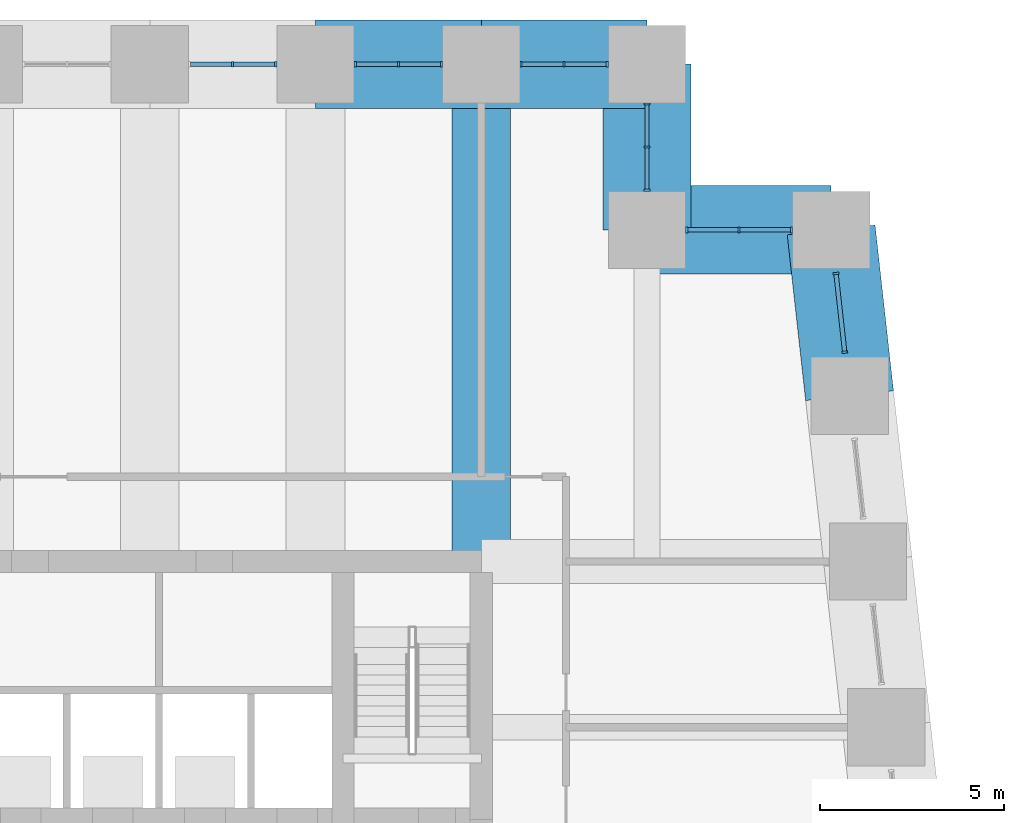
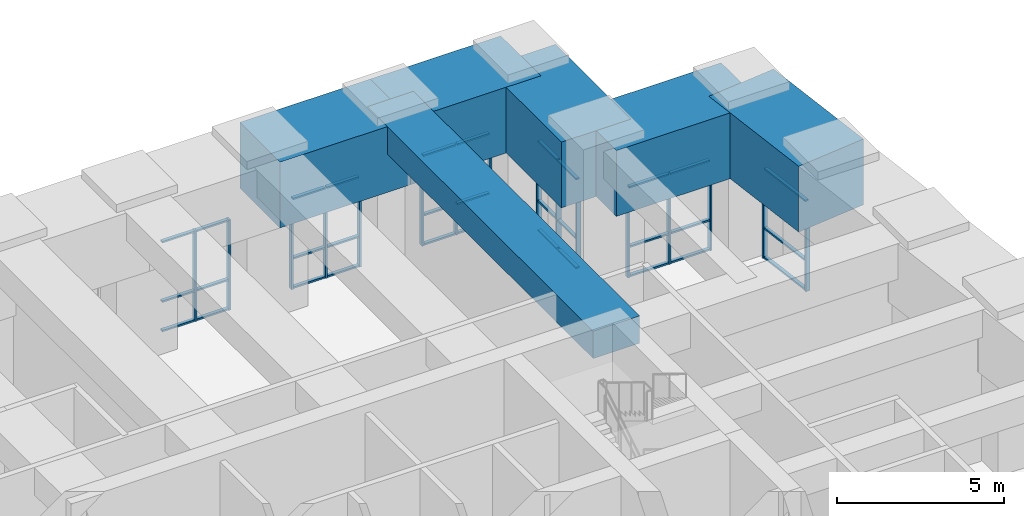
# One storey, part 8 of 17: 49 members, 6 beams, 6 elements without a shape of their own.
"""IFC4 building model written with IfcOpenShell, lengths in metres."""

from ifc_helpers import new_model, si_unit, direction, frame, origin, origin_2d, place, context, subcontext, project, spatial, rectangle, extrude, material, material_profile, profile_set, type_object, element, aggregate, save


model = new_model("IFC4")

# Units and contexts
model_context = context("Model", 3, precision=1e-05, world=origin(), true_north=direction((0.0, 1.0)))
body_context = subcontext(model_context, "Body", "Model", "MODEL_VIEW")
ifc_project = project(units=[si_unit("LENGTHUNIT", "METRE"), si_unit("AREAUNIT", "SQUARE_METRE"), si_unit("VOLUMEUNIT", "CUBIC_METRE"), si_unit("PLANEANGLEUNIT", "RADIAN"), si_unit("MASSUNIT", "GRAM", prefix="KILO")], contexts=[model_context])

# Site, building, storey
site_placement = place(None, origin())
site = spatial("IfcSite", under=ifc_project, at=site_placement, CompositionType="ELEMENT")
building_placement = place(site_placement, origin())
building = spatial("IfcBuilding", under=site, at=building_placement, Name="Kilele Tower Hotel", CompositionType="ELEMENT")
storey_placement = place(building_placement, frame((0.0, 0.0, 145.89990234375)))
storey = spatial("IfcBuildingStorey", under=building, at=storey_placement, Name="L38", CompositionType="ELEMENT", Elevation=145.89990234375)

# Beam
ifc_material_1 = material(Name="Concrete C60/75", Category="concrete")
ifc_material_profile_1 = material_profile(ifc_material_1, rectangle(XDim=1.60009765625, YDim=1.0, at=origin_2d()))
ifc_profile_set_1 = profile_set([ifc_material_profile_1], Name="Concrete C60/75")
beam_type_1 = type_object("IfcBeamType", Name="Beam RC 1600x1000 C60/75", PredefinedType="BEAM", material=ifc_profile_set_1)
beam_1_placement = place(storey_placement, frame((36.0, 40.5, 5.2001953125), z_axis=(0.0, -1.0, 0.0), x_axis=(1.0, 0.0, 0.0)))
element("IfcBeam", 1, at=beam_1_placement, inside=storey, type_object=beam_type_1, Name="Beam BC1 level L39", PredefinedType="BEAM", context=body_context, shape_type="SweptSolid", body=[
    extrude(rectangle(XDim=1.60009765625, YDim=1.0, at=origin_2d()), origin(), (0.0, 0.0, 1.0), 13.5),
])

# Curtain wall, members
ifc_material_2 = material(Name="Aluminium curtain wall, clear double glazing", Category="aluminium")
curtain_wall_type = type_object("IfcCurtainWallType", Name="Sky lobby curtain wall CW-3", PredefinedType="NOTDEFINED", material=ifc_material_2)
curtain_wall_1_placement = place(storey_placement, origin())
curtain_wall_1 = element("IfcCurtainWall", 2, at=curtain_wall_1_placement, inside=storey, type_object=curtain_wall_type, Name="Sky lobby curtain wall CW-3 L38", PredefinedType="NOTDEFINED")
ifc_material_3 = material(Name="Aluminium EN AW-6063 T6", Category="aluminium")
ifc_material_profile_2 = material_profile(ifc_material_3, rectangle(XDim=0.159912109375, YDim=0.06005859375, at=origin_2d()))
ifc_profile_set_2 = profile_set([ifc_material_profile_2], Name="Aluminium EN AW-6063 T6")
member_type_1 = type_object("IfcMemberType", Name="Mullion 60x160 CW-3", PredefinedType="MULLION", material=ifc_profile_set_2)
member_1_placement = place(storey_placement, frame((45.86865234375, 32.682373046875, 0.0), z_axis=(0.0, 0.0, 1.0), x_axis=(-0.993883734629, -0.110431526475, 0.0)))
member_1 = element("IfcMember", 3, at=member_1_placement, type_object=member_type_1, Name="CW-3 mullion 1", PredefinedType="MULLION", context=body_context, shape_type="SweptSolid", body=[
    extrude(rectangle(XDim=0.159912109375, YDim=0.06005859375, at=origin_2d()), origin(), (0.0, 0.0, 1.0), 3.300048828125),
])
member_2_placement = place(storey_placement, frame((45.63134765625, 34.817626953125, 0.0), z_axis=(0.0, 0.0, 1.0), x_axis=(-0.993883734629, -0.110431526475, 0.0)))
member_2 = element("IfcMember", 4, at=member_2_placement, type_object=member_type_1, Name="CW-3 mullion 2", PredefinedType="MULLION", context=body_context, shape_type="SweptSolid", body=[
    extrude(rectangle(XDim=0.159912109375, YDim=0.06005859375, at=origin_2d()), origin(), (0.0, 0.0, 1.0), 3.300048828125),
])

curtain_wall_2_placement = place(storey_placement, origin())
curtain_wall_2 = element("IfcCurtainWall", 5, at=curtain_wall_2_placement, inside=storey, type_object=curtain_wall_type, Name="Sky lobby curtain wall CW-3 L38", PredefinedType="NOTDEFINED")
member_3_placement = place(storey_placement, frame((44.419921875, 36.0, 0.0), z_axis=(0.0, 0.0, 1.0), x_axis=(0.0, -1.0, 0.0)))
member_3 = element("IfcMember", 6, at=member_3_placement, type_object=member_type_1, Name="CW-3 mullion 1", PredefinedType="MULLION", context=body_context, shape_type="SweptSolid", body=[
    extrude(rectangle(XDim=0.159912109375, YDim=0.06005859375, at=origin_2d()), origin(), (0.0, 0.0, 1.0), 3.300048828125),
])
member_4_placement = place(storey_placement, frame((43.0, 36.0, 0.0), z_axis=(0.0, 0.0, 1.0), x_axis=(0.0, -1.0, 0.0)))
member_4 = element("IfcMember", 7, at=member_4_placement, type_object=member_type_1, Name="CW-3 mullion 2", PredefinedType="MULLION", context=body_context, shape_type="SweptSolid", body=[
    extrude(rectangle(XDim=0.159912109375, YDim=0.06005859375, at=origin_2d()), origin(), (0.0, 0.0, 1.0), 3.300048828125),
])
member_5_placement = place(storey_placement, frame((41.580078125, 36.0, 0.0), z_axis=(0.0, 0.0, 1.0), x_axis=(0.0, -1.0, 0.0)))
member_5 = element("IfcMember", 8, at=member_5_placement, type_object=member_type_1, Name="CW-3 mullion 3", PredefinedType="MULLION", context=body_context, shape_type="SweptSolid", body=[
    extrude(rectangle(XDim=0.159912109375, YDim=0.06005859375, at=origin_2d()), origin(), (0.0, 0.0, 1.0), 3.300048828125),
])

curtain_wall_3_placement = place(storey_placement, origin())
curtain_wall_3 = element("IfcCurtainWall", 9, at=curtain_wall_3_placement, inside=storey, type_object=curtain_wall_type, Name="Sky lobby curtain wall CW-3 L38", PredefinedType="NOTDEFINED")
member_6_placement = place(storey_placement, frame((40.5, 37.080078125, 0.0), z_axis=(0.0, 0.0, 1.0), x_axis=(-1.0, 0.0, 0.0)))
member_6 = element("IfcMember", 10, at=member_6_placement, type_object=member_type_1, Name="CW-3 mullion 1", PredefinedType="MULLION", context=body_context, shape_type="SweptSolid", body=[
    extrude(rectangle(XDim=0.159912109375, YDim=0.06005859375, at=origin_2d()), origin(), (0.0, 0.0, 1.0), 3.300048828125),
])
member_7_placement = place(storey_placement, frame((40.5, 38.25, 0.0), z_axis=(0.0, 0.0, 1.0), x_axis=(-1.0, 0.0, 0.0)))
member_7 = element("IfcMember", 11, at=member_7_placement, type_object=member_type_1, Name="CW-3 mullion 2", PredefinedType="MULLION", context=body_context, shape_type="SweptSolid", body=[
    extrude(rectangle(XDim=0.159912109375, YDim=0.06005859375, at=origin_2d()), origin(), (0.0, 0.0, 1.0), 3.300048828125),
])
member_8_placement = place(storey_placement, frame((40.5, 39.419921875, 0.0), z_axis=(0.0, 0.0, 1.0), x_axis=(-1.0, 0.0, 0.0)))
member_8 = element("IfcMember", 12, at=member_8_placement, type_object=member_type_1, Name="CW-3 mullion 3", PredefinedType="MULLION", context=body_context, shape_type="SweptSolid", body=[
    extrude(rectangle(XDim=0.159912109375, YDim=0.06005859375, at=origin_2d()), origin(), (0.0, 0.0, 1.0), 3.300048828125),
])

curtain_wall_4_placement = place(storey_placement, origin())
curtain_wall_4 = element("IfcCurtainWall", 13, at=curtain_wall_4_placement, inside=storey, type_object=curtain_wall_type, Name="Sky lobby curtain wall CW-3 L38", PredefinedType="NOTDEFINED")
member_9_placement = place(storey_placement, frame((39.419921875, 40.5, 0.0), z_axis=(0.0, 0.0, 1.0), x_axis=(0.0, -1.0, 0.0)))
member_9 = element("IfcMember", 14, at=member_9_placement, type_object=member_type_1, Name="CW-3 mullion 1", PredefinedType="MULLION", context=body_context, shape_type="SweptSolid", body=[
    extrude(rectangle(XDim=0.159912109375, YDim=0.06005859375, at=origin_2d()), origin(), (0.0, 0.0, 1.0), 3.300048828125),
])
member_10_placement = place(storey_placement, frame((38.25, 40.5, 0.0), z_axis=(0.0, 0.0, 1.0), x_axis=(0.0, -1.0, 0.0)))
member_10 = element("IfcMember", 15, at=member_10_placement, type_object=member_type_1, Name="CW-3 mullion 2", PredefinedType="MULLION", context=body_context, shape_type="SweptSolid", body=[
    extrude(rectangle(XDim=0.159912109375, YDim=0.06005859375, at=origin_2d()), origin(), (0.0, 0.0, 1.0), 3.300048828125),
])
member_11_placement = place(storey_placement, frame((37.080078125, 40.5, 0.0), z_axis=(0.0, 0.0, 1.0), x_axis=(0.0, -1.0, 0.0)))
member_11 = element("IfcMember", 16, at=member_11_placement, type_object=member_type_1, Name="CW-3 mullion 3", PredefinedType="MULLION", context=body_context, shape_type="SweptSolid", body=[
    extrude(rectangle(XDim=0.159912109375, YDim=0.06005859375, at=origin_2d()), origin(), (0.0, 0.0, 1.0), 3.300048828125),
])

curtain_wall_5_placement = place(storey_placement, origin())
curtain_wall_5 = element("IfcCurtainWall", 17, at=curtain_wall_5_placement, inside=storey, type_object=curtain_wall_type, Name="Sky lobby curtain wall CW-3 L38", PredefinedType="NOTDEFINED")
member_12_placement = place(storey_placement, frame((34.919921875, 40.5, 0.0), z_axis=(0.0, 0.0, 1.0), x_axis=(0.0, -1.0, 0.0)))
member_12 = element("IfcMember", 18, at=member_12_placement, type_object=member_type_1, Name="CW-3 mullion 1", PredefinedType="MULLION", context=body_context, shape_type="SweptSolid", body=[
    extrude(rectangle(XDim=0.159912109375, YDim=0.06005859375, at=origin_2d()), origin(), (0.0, 0.0, 1.0), 3.300048828125),
])
member_13_placement = place(storey_placement, frame((33.75, 40.5, 0.0), z_axis=(0.0, 0.0, 1.0), x_axis=(0.0, -1.0, 0.0)))
member_13 = element("IfcMember", 19, at=member_13_placement, type_object=member_type_1, Name="CW-3 mullion 2", PredefinedType="MULLION", context=body_context, shape_type="SweptSolid", body=[
    extrude(rectangle(XDim=0.159912109375, YDim=0.06005859375, at=origin_2d()), origin(), (0.0, 0.0, 1.0), 3.300048828125),
])
member_14_placement = place(storey_placement, frame((32.580078125, 40.5, 0.0), z_axis=(0.0, 0.0, 1.0), x_axis=(0.0, -1.0, 0.0)))
member_14 = element("IfcMember", 20, at=member_14_placement, type_object=member_type_1, Name="CW-3 mullion 3", PredefinedType="MULLION", context=body_context, shape_type="SweptSolid", body=[
    extrude(rectangle(XDim=0.159912109375, YDim=0.06005859375, at=origin_2d()), origin(), (0.0, 0.0, 1.0), 3.300048828125),
])

curtain_wall_6_placement = place(storey_placement, origin())
curtain_wall_6 = element("IfcCurtainWall", 21, at=curtain_wall_6_placement, inside=storey, type_object=curtain_wall_type, Name="Sky lobby curtain wall CW-3 L38", PredefinedType="NOTDEFINED")
member_15_placement = place(storey_placement, frame((30.419921875, 40.5, 0.0), z_axis=(0.0, 0.0, 1.0), x_axis=(0.0, -1.0, 0.0)))
member_15 = element("IfcMember", 22, at=member_15_placement, type_object=member_type_1, Name="CW-3 mullion 1", PredefinedType="MULLION", context=body_context, shape_type="SweptSolid", body=[
    extrude(rectangle(XDim=0.159912109375, YDim=0.06005859375, at=origin_2d()), origin(), (0.0, 0.0, 1.0), 3.300048828125),
])
member_16_placement = place(storey_placement, frame((29.25, 40.5, 0.0), z_axis=(0.0, 0.0, 1.0), x_axis=(0.0, -1.0, 0.0)))
member_16 = element("IfcMember", 23, at=member_16_placement, type_object=member_type_1, Name="CW-3 mullion 2", PredefinedType="MULLION", context=body_context, shape_type="SweptSolid", body=[
    extrude(rectangle(XDim=0.159912109375, YDim=0.06005859375, at=origin_2d()), origin(), (0.0, 0.0, 1.0), 3.300048828125),
])

# Beams
ifc_material_4 = material(Name="Concrete C60/75", Category="concrete")
ifc_material_profile_3 = material_profile(ifc_material_4, rectangle(XDim=2.39990234375, YDim=2.39990234375, at=origin_2d()))
ifc_profile_set_3 = profile_set([ifc_material_profile_3], Name="Concrete C60/75")
beam_type_2 = type_object("IfcBeamType", Name="Spandrel RC 2400x2400 C60/75", PredefinedType="SPANDREL", material=ifc_profile_set_3)
beam_2_placement = place(storey_placement, frame((46.0, 31.5, 4.5), z_axis=(-0.110431526075, 0.993883734674, 0.0), x_axis=(-0.993883734674, -0.110431526075, 0.0)))
element("IfcBeam", 24, at=beam_2_placement, inside=storey, type_object=beam_type_2, Name="Spandrel SP15 level L39", PredefinedType="SPANDREL", context=body_context, shape_type="SweptSolid", body=[
    extrude(rectangle(XDim=2.39990234375, YDim=2.39990234375, at=origin_2d()), origin(), (0.0, 0.0, 1.0), 4.527587890625),
])
beam_3_placement = place(storey_placement, frame((45.5, 36.0, 4.5), z_axis=(-1.0, 0.0, 0.0), x_axis=(0.0, -1.0, 0.0)))
element("IfcBeam", 25, at=beam_3_placement, inside=storey, type_object=beam_type_2, Name="Spandrel SP15 level L39", PredefinedType="SPANDREL", context=body_context, shape_type="SweptSolid", body=[
    extrude(rectangle(XDim=2.39990234375, YDim=2.39990234375, at=origin_2d()), origin(), (0.0, 0.0, 1.0), 5.0),
])
for number, where, z_axis, x_axis, name in (
    (26, (40.5, 36.0, 4.5), (0.0, 1.0, 0.0), (-1.0, 0.0, 0.0), "Spandrel SP15 level L39"),
    (27, (40.5, 40.5, 4.5), (-1.0, 0.0, 0.0), (0.0, -1.0, 0.0), "Spandrel SP15 level L39"),
    (28, (36.0, 40.5, 4.5), (-1.0, 0.0, 0.0), (0.0, -1.0, 0.0), "Spandrel SP15 level L39"),
):
    element("IfcBeam", number, at=place(storey_placement, frame(where, z_axis=z_axis, x_axis=x_axis)), inside=storey, type_object=beam_type_2, Name=name, PredefinedType="SPANDREL", context=body_context, shape_type="SweptSolid", body=[
        extrude(rectangle(XDim=2.39990234375, YDim=2.39990234375, at=origin_2d()), origin(), (0.0, 0.0, 1.0), 4.5),
    ])

# Member
ifc_material_5 = material(Name="Aluminium EN AW-6063 T6", Category="aluminium")
ifc_material_profile_4 = material_profile(ifc_material_5, rectangle(XDim=0.1201171875, YDim=0.06005859375, at=origin_2d()))
ifc_profile_set_4 = profile_set([ifc_material_profile_4], Name="Aluminium EN AW-6063 T6")
member_type_2 = type_object("IfcMemberType", Name="Transom 60x120 CW-3", PredefinedType="USERDEFINED", material=ifc_profile_set_4)
member_17_placement = place(storey_placement, frame((45.865234375, 32.712158203125, 0.030029296875), z_axis=(-0.110354542159, 0.993892285424, 0.0), x_axis=(-0.993892285424, -0.110354542159, 0.0)))
member_17 = element("IfcMember", 29, at=member_17_placement, type_object=member_type_2, Name="CW-3 transom 1.1", ObjectType="TRANSOM", PredefinedType="USERDEFINED", context=body_context, shape_type="SweptSolid", body=[
    extrude(rectangle(XDim=0.1201171875, YDim=0.06005859375, at=origin_2d()), origin(), (0.0, 0.0, 1.0), 2.08837890625),
])

member_18_placement = place(storey_placement, frame((45.865234375, 32.712158203125, 1.10009765625), z_axis=(-0.110354542159, 0.993892285424, 0.0), x_axis=(-0.993892285424, -0.110354542159, 0.0)))
member_18 = element("IfcMember", 30, at=member_18_placement, type_object=member_type_2, Name="CW-3 transom 1.2", ObjectType="TRANSOM", PredefinedType="USERDEFINED", context=body_context, shape_type="SweptSolid", body=[
    extrude(rectangle(XDim=0.1201171875, YDim=0.06005859375, at=origin_2d()), origin(), (0.0, 0.0, 1.0), 2.08837890625),
])

member_19_placement = place(storey_placement, frame((45.865234375, 32.712158203125, 3.27001953125), z_axis=(-0.110354542159, 0.993892285424, 0.0), x_axis=(-0.993892285424, -0.110354542159, 0.0)))
member_19 = element("IfcMember", 31, at=member_19_placement, type_object=member_type_2, Name="CW-3 transom 1.3", ObjectType="TRANSOM", PredefinedType="USERDEFINED", context=body_context, shape_type="SweptSolid", body=[
    extrude(rectangle(XDim=0.1201171875, YDim=0.06005859375, at=origin_2d()), origin(), (0.0, 0.0, 1.0), 2.08837890625),
])

aggregate(curtain_wall_1, [member_1, member_2, member_17, member_18, member_19])

member_20_placement = place(storey_placement, frame((44.389892578125, 36.0, 0.030029296875), z_axis=(-1.0, 0.0, 0.0), x_axis=(0.0, -1.0, 0.0)))
member_20 = element("IfcMember", 32, at=member_20_placement, type_object=member_type_2, Name="CW-3 transom 1.1", ObjectType="TRANSOM", PredefinedType="USERDEFINED", context=body_context, shape_type="SweptSolid", body=[
    extrude(rectangle(XDim=0.1201171875, YDim=0.06005859375, at=origin_2d()), origin(), (0.0, 0.0, 1.0), 1.35986328125),
])

member_21_placement = place(storey_placement, frame((44.389892578125, 36.0, 1.10009765625), z_axis=(-1.0, 0.0, 0.0), x_axis=(0.0, -1.0, 0.0)))
member_21 = element("IfcMember", 33, at=member_21_placement, type_object=member_type_2, Name="CW-3 transom 1.2", ObjectType="TRANSOM", PredefinedType="USERDEFINED", context=body_context, shape_type="SweptSolid", body=[
    extrude(rectangle(XDim=0.1201171875, YDim=0.06005859375, at=origin_2d()), origin(), (0.0, 0.0, 1.0), 1.35986328125),
])

member_22_placement = place(storey_placement, frame((44.389892578125, 36.0, 3.27001953125), z_axis=(-1.0, 0.0, 0.0), x_axis=(0.0, -1.0, 0.0)))
member_22 = element("IfcMember", 34, at=member_22_placement, type_object=member_type_2, Name="CW-3 transom 1.3", ObjectType="TRANSOM", PredefinedType="USERDEFINED", context=body_context, shape_type="SweptSolid", body=[
    extrude(rectangle(XDim=0.1201171875, YDim=0.06005859375, at=origin_2d()), origin(), (0.0, 0.0, 1.0), 1.35986328125),
])

member_23_placement = place(storey_placement, frame((42.969970703125, 36.0, 0.030029296875), z_axis=(-1.0, 0.0, 0.0), x_axis=(0.0, -1.0, 0.0)))
member_23 = element("IfcMember", 35, at=member_23_placement, type_object=member_type_2, Name="CW-3 transom 2.1", ObjectType="TRANSOM", PredefinedType="USERDEFINED", context=body_context, shape_type="SweptSolid", body=[
    extrude(rectangle(XDim=0.1201171875, YDim=0.06005859375, at=origin_2d()), origin(), (0.0, 0.0, 1.0), 1.35986328125),
])

member_24_placement = place(storey_placement, frame((42.969970703125, 36.0, 1.10009765625), z_axis=(-1.0, 0.0, 0.0), x_axis=(0.0, -1.0, 0.0)))
member_24 = element("IfcMember", 36, at=member_24_placement, type_object=member_type_2, Name="CW-3 transom 2.2", ObjectType="TRANSOM", PredefinedType="USERDEFINED", context=body_context, shape_type="SweptSolid", body=[
    extrude(rectangle(XDim=0.1201171875, YDim=0.06005859375, at=origin_2d()), origin(), (0.0, 0.0, 1.0), 1.35986328125),
])

member_25_placement = place(storey_placement, frame((42.969970703125, 36.0, 3.27001953125), z_axis=(-1.0, 0.0, 0.0), x_axis=(0.0, -1.0, 0.0)))
member_25 = element("IfcMember", 37, at=member_25_placement, type_object=member_type_2, Name="CW-3 transom 2.3", ObjectType="TRANSOM", PredefinedType="USERDEFINED", context=body_context, shape_type="SweptSolid", body=[
    extrude(rectangle(XDim=0.1201171875, YDim=0.06005859375, at=origin_2d()), origin(), (0.0, 0.0, 1.0), 1.35986328125),
])

aggregate(curtain_wall_2, [member_3, member_4, member_5, member_20, member_21, member_22, member_23, member_24, member_25])

member_26_placement = place(storey_placement, frame((40.5, 37.110107421875, 0.030029296875), z_axis=(0.0, 1.0, 0.0), x_axis=(-1.0, 0.0, 0.0)))
member_26 = element("IfcMember", 38, at=member_26_placement, type_object=member_type_2, Name="CW-3 transom 1.1", ObjectType="TRANSOM", PredefinedType="USERDEFINED", context=body_context, shape_type="SweptSolid", body=[
    extrude(rectangle(XDim=0.1201171875, YDim=0.06005859375, at=origin_2d()), origin(), (0.0, 0.0, 1.0), 1.10986328125),
])

member_27_placement = place(storey_placement, frame((40.5, 37.110107421875, 1.10009765625), z_axis=(0.0, 1.0, 0.0), x_axis=(-1.0, 0.0, 0.0)))
member_27 = element("IfcMember", 39, at=member_27_placement, type_object=member_type_2, Name="CW-3 transom 1.2", ObjectType="TRANSOM", PredefinedType="USERDEFINED", context=body_context, shape_type="SweptSolid", body=[
    extrude(rectangle(XDim=0.1201171875, YDim=0.06005859375, at=origin_2d()), origin(), (0.0, 0.0, 1.0), 1.10986328125),
])

member_28_placement = place(storey_placement, frame((40.5, 37.110107421875, 3.27001953125), z_axis=(0.0, 1.0, 0.0), x_axis=(-1.0, 0.0, 0.0)))
member_28 = element("IfcMember", 40, at=member_28_placement, type_object=member_type_2, Name="CW-3 transom 1.3", ObjectType="TRANSOM", PredefinedType="USERDEFINED", context=body_context, shape_type="SweptSolid", body=[
    extrude(rectangle(XDim=0.1201171875, YDim=0.06005859375, at=origin_2d()), origin(), (0.0, 0.0, 1.0), 1.10986328125),
])

member_29_placement = place(storey_placement, frame((40.5, 38.280029296875, 0.030029296875), z_axis=(0.0, 1.0, 0.0), x_axis=(-1.0, 0.0, 0.0)))
member_29 = element("IfcMember", 41, at=member_29_placement, type_object=member_type_2, Name="CW-3 transom 2.1", ObjectType="TRANSOM", PredefinedType="USERDEFINED", context=body_context, shape_type="SweptSolid", body=[
    extrude(rectangle(XDim=0.1201171875, YDim=0.06005859375, at=origin_2d()), origin(), (0.0, 0.0, 1.0), 1.10986328125),
])

member_30_placement = place(storey_placement, frame((40.5, 38.280029296875, 1.10009765625), z_axis=(0.0, 1.0, 0.0), x_axis=(-1.0, 0.0, 0.0)))
member_30 = element("IfcMember", 42, at=member_30_placement, type_object=member_type_2, Name="CW-3 transom 2.2", ObjectType="TRANSOM", PredefinedType="USERDEFINED", context=body_context, shape_type="SweptSolid", body=[
    extrude(rectangle(XDim=0.1201171875, YDim=0.06005859375, at=origin_2d()), origin(), (0.0, 0.0, 1.0), 1.10986328125),
])

member_31_placement = place(storey_placement, frame((40.5, 38.280029296875, 3.27001953125), z_axis=(0.0, 1.0, 0.0), x_axis=(-1.0, 0.0, 0.0)))
member_31 = element("IfcMember", 43, at=member_31_placement, type_object=member_type_2, Name="CW-3 transom 2.3", ObjectType="TRANSOM", PredefinedType="USERDEFINED", context=body_context, shape_type="SweptSolid", body=[
    extrude(rectangle(XDim=0.1201171875, YDim=0.06005859375, at=origin_2d()), origin(), (0.0, 0.0, 1.0), 1.10986328125),
])

aggregate(curtain_wall_3, [member_6, member_7, member_8, member_26, member_27, member_28, member_29, member_30, member_31])

member_32_placement = place(storey_placement, frame((39.389892578125, 40.5, 0.030029296875), z_axis=(-1.0, 0.0, 0.0), x_axis=(0.0, -1.0, 0.0)))
member_32 = element("IfcMember", 44, at=member_32_placement, type_object=member_type_2, Name="CW-3 transom 1.1", ObjectType="TRANSOM", PredefinedType="USERDEFINED", context=body_context, shape_type="SweptSolid", body=[
    extrude(rectangle(XDim=0.1201171875, YDim=0.06005859375, at=origin_2d()), origin(), (0.0, 0.0, 1.0), 1.10986328125),
])

member_33_placement = place(storey_placement, frame((39.389892578125, 40.5, 1.10009765625), z_axis=(-1.0, 0.0, 0.0), x_axis=(0.0, -1.0, 0.0)))
member_33 = element("IfcMember", 45, at=member_33_placement, type_object=member_type_2, Name="CW-3 transom 1.2", ObjectType="TRANSOM", PredefinedType="USERDEFINED", context=body_context, shape_type="SweptSolid", body=[
    extrude(rectangle(XDim=0.1201171875, YDim=0.06005859375, at=origin_2d()), origin(), (0.0, 0.0, 1.0), 1.10986328125),
])

member_34_placement = place(storey_placement, frame((39.389892578125, 40.5, 3.27001953125), z_axis=(-1.0, 0.0, 0.0), x_axis=(0.0, -1.0, 0.0)))
member_34 = element("IfcMember", 46, at=member_34_placement, type_object=member_type_2, Name="CW-3 transom 1.3", ObjectType="TRANSOM", PredefinedType="USERDEFINED", context=body_context, shape_type="SweptSolid", body=[
    extrude(rectangle(XDim=0.1201171875, YDim=0.06005859375, at=origin_2d()), origin(), (0.0, 0.0, 1.0), 1.10986328125),
])

member_35_placement = place(storey_placement, frame((38.219970703125, 40.5, 0.030029296875), z_axis=(-1.0, 0.0, 0.0), x_axis=(0.0, -1.0, 0.0)))
member_35 = element("IfcMember", 47, at=member_35_placement, type_object=member_type_2, Name="CW-3 transom 2.1", ObjectType="TRANSOM", PredefinedType="USERDEFINED", context=body_context, shape_type="SweptSolid", body=[
    extrude(rectangle(XDim=0.1201171875, YDim=0.06005859375, at=origin_2d()), origin(), (0.0, 0.0, 1.0), 1.10986328125),
])

member_36_placement = place(storey_placement, frame((38.219970703125, 40.5, 1.10009765625), z_axis=(-1.0, 0.0, 0.0), x_axis=(0.0, -1.0, 0.0)))
member_36 = element("IfcMember", 48, at=member_36_placement, type_object=member_type_2, Name="CW-3 transom 2.2", ObjectType="TRANSOM", PredefinedType="USERDEFINED", context=body_context, shape_type="SweptSolid", body=[
    extrude(rectangle(XDim=0.1201171875, YDim=0.06005859375, at=origin_2d()), origin(), (0.0, 0.0, 1.0), 1.10986328125),
])

member_37_placement = place(storey_placement, frame((38.219970703125, 40.5, 3.27001953125), z_axis=(-1.0, 0.0, 0.0), x_axis=(0.0, -1.0, 0.0)))
member_37 = element("IfcMember", 49, at=member_37_placement, type_object=member_type_2, Name="CW-3 transom 2.3", ObjectType="TRANSOM", PredefinedType="USERDEFINED", context=body_context, shape_type="SweptSolid", body=[
    extrude(rectangle(XDim=0.1201171875, YDim=0.06005859375, at=origin_2d()), origin(), (0.0, 0.0, 1.0), 1.10986328125),
])

aggregate(curtain_wall_4, [member_9, member_10, member_11, member_32, member_33, member_34, member_35, member_36, member_37])

member_38_placement = place(storey_placement, frame((34.889892578125, 40.5, 0.030029296875), z_axis=(-1.0, 0.0, 0.0), x_axis=(0.0, -1.0, 0.0)))
member_38 = element("IfcMember", 50, at=member_38_placement, type_object=member_type_2, Name="CW-3 transom 1.1", ObjectType="TRANSOM", PredefinedType="USERDEFINED", context=body_context, shape_type="SweptSolid", body=[
    extrude(rectangle(XDim=0.1201171875, YDim=0.06005859375, at=origin_2d()), origin(), (0.0, 0.0, 1.0), 1.10986328125),
])

member_39_placement = place(storey_placement, frame((34.889892578125, 40.5, 1.10009765625), z_axis=(-1.0, 0.0, 0.0), x_axis=(0.0, -1.0, 0.0)))
member_39 = element("IfcMember", 51, at=member_39_placement, type_object=member_type_2, Name="CW-3 transom 1.2", ObjectType="TRANSOM", PredefinedType="USERDEFINED", context=body_context, shape_type="SweptSolid", body=[
    extrude(rectangle(XDim=0.1201171875, YDim=0.06005859375, at=origin_2d()), origin(), (0.0, 0.0, 1.0), 1.10986328125),
])

member_40_placement = place(storey_placement, frame((34.889892578125, 40.5, 3.27001953125), z_axis=(-1.0, 0.0, 0.0), x_axis=(0.0, -1.0, 0.0)))
member_40 = element("IfcMember", 52, at=member_40_placement, type_object=member_type_2, Name="CW-3 transom 1.3", ObjectType="TRANSOM", PredefinedType="USERDEFINED", context=body_context, shape_type="SweptSolid", body=[
    extrude(rectangle(XDim=0.1201171875, YDim=0.06005859375, at=origin_2d()), origin(), (0.0, 0.0, 1.0), 1.10986328125),
])

member_41_placement = place(storey_placement, frame((33.719970703125, 40.5, 0.030029296875), z_axis=(-1.0, 0.0, 0.0), x_axis=(0.0, -1.0, 0.0)))
member_41 = element("IfcMember", 53, at=member_41_placement, type_object=member_type_2, Name="CW-3 transom 2.1", ObjectType="TRANSOM", PredefinedType="USERDEFINED", context=body_context, shape_type="SweptSolid", body=[
    extrude(rectangle(XDim=0.1201171875, YDim=0.06005859375, at=origin_2d()), origin(), (0.0, 0.0, 1.0), 1.10986328125),
])

member_42_placement = place(storey_placement, frame((33.719970703125, 40.5, 1.10009765625), z_axis=(-1.0, 0.0, 0.0), x_axis=(0.0, -1.0, 0.0)))
member_42 = element("IfcMember", 54, at=member_42_placement, type_object=member_type_2, Name="CW-3 transom 2.2", ObjectType="TRANSOM", PredefinedType="USERDEFINED", context=body_context, shape_type="SweptSolid", body=[
    extrude(rectangle(XDim=0.1201171875, YDim=0.06005859375, at=origin_2d()), origin(), (0.0, 0.0, 1.0), 1.10986328125),
])

member_43_placement = place(storey_placement, frame((33.719970703125, 40.5, 3.27001953125), z_axis=(-1.0, 0.0, 0.0), x_axis=(0.0, -1.0, 0.0)))
member_43 = element("IfcMember", 55, at=member_43_placement, type_object=member_type_2, Name="CW-3 transom 2.3", ObjectType="TRANSOM", PredefinedType="USERDEFINED", context=body_context, shape_type="SweptSolid", body=[
    extrude(rectangle(XDim=0.1201171875, YDim=0.06005859375, at=origin_2d()), origin(), (0.0, 0.0, 1.0), 1.10986328125),
])

aggregate(curtain_wall_5, [member_12, member_13, member_14, member_38, member_39, member_40, member_41, member_42, member_43])

member_44_placement = place(storey_placement, frame((30.389892578125, 40.5, 0.030029296875), z_axis=(-1.0, 0.0, 0.0), x_axis=(0.0, -1.0, 0.0)))
member_44 = element("IfcMember", 56, at=member_44_placement, type_object=member_type_2, Name="CW-3 transom 1.1", ObjectType="TRANSOM", PredefinedType="USERDEFINED", context=body_context, shape_type="SweptSolid", body=[
    extrude(rectangle(XDim=0.1201171875, YDim=0.06005859375, at=origin_2d()), origin(), (0.0, 0.0, 1.0), 1.10986328125),
])

member_45_placement = place(storey_placement, frame((30.389892578125, 40.5, 1.10009765625), z_axis=(-1.0, 0.0, 0.0), x_axis=(0.0, -1.0, 0.0)))
member_45 = element("IfcMember", 57, at=member_45_placement, type_object=member_type_2, Name="CW-3 transom 1.2", ObjectType="TRANSOM", PredefinedType="USERDEFINED", context=body_context, shape_type="SweptSolid", body=[
    extrude(rectangle(XDim=0.1201171875, YDim=0.06005859375, at=origin_2d()), origin(), (0.0, 0.0, 1.0), 1.10986328125),
])

member_46_placement = place(storey_placement, frame((30.389892578125, 40.5, 3.27001953125), z_axis=(-1.0, 0.0, 0.0), x_axis=(0.0, -1.0, 0.0)))
member_46 = element("IfcMember", 58, at=member_46_placement, type_object=member_type_2, Name="CW-3 transom 1.3", ObjectType="TRANSOM", PredefinedType="USERDEFINED", context=body_context, shape_type="SweptSolid", body=[
    extrude(rectangle(XDim=0.1201171875, YDim=0.06005859375, at=origin_2d()), origin(), (0.0, 0.0, 1.0), 1.10986328125),
])

member_47_placement = place(storey_placement, frame((29.219970703125, 40.5, 0.030029296875), z_axis=(-1.0, 0.0, 0.0), x_axis=(0.0, -1.0, 0.0)))
member_47 = element("IfcMember", 59, at=member_47_placement, type_object=member_type_2, Name="CW-3 transom 2.1", ObjectType="TRANSOM", PredefinedType="USERDEFINED", context=body_context, shape_type="SweptSolid", body=[
    extrude(rectangle(XDim=0.1201171875, YDim=0.06005859375, at=origin_2d()), origin(), (0.0, 0.0, 1.0), 1.10986328125),
])

member_48_placement = place(storey_placement, frame((29.219970703125, 40.5, 1.10009765625), z_axis=(-1.0, 0.0, 0.0), x_axis=(0.0, -1.0, 0.0)))
member_48 = element("IfcMember", 60, at=member_48_placement, type_object=member_type_2, Name="CW-3 transom 2.2", ObjectType="TRANSOM", PredefinedType="USERDEFINED", context=body_context, shape_type="SweptSolid", body=[
    extrude(rectangle(XDim=0.1201171875, YDim=0.06005859375, at=origin_2d()), origin(), (0.0, 0.0, 1.0), 1.10986328125),
])

member_49_placement = place(storey_placement, frame((29.219970703125, 40.5, 3.27001953125), z_axis=(-1.0, 0.0, 0.0), x_axis=(0.0, -1.0, 0.0)))
member_49 = element("IfcMember", 61, at=member_49_placement, type_object=member_type_2, Name="CW-3 transom 2.3", ObjectType="TRANSOM", PredefinedType="USERDEFINED", context=body_context, shape_type="SweptSolid", body=[
    extrude(rectangle(XDim=0.1201171875, YDim=0.06005859375, at=origin_2d()), origin(), (0.0, 0.0, 1.0), 1.10986328125),
])

aggregate(curtain_wall_6, [member_15, member_16, member_44, member_45, member_46, member_47, member_48, member_49])

save(model, "model.ifc")
